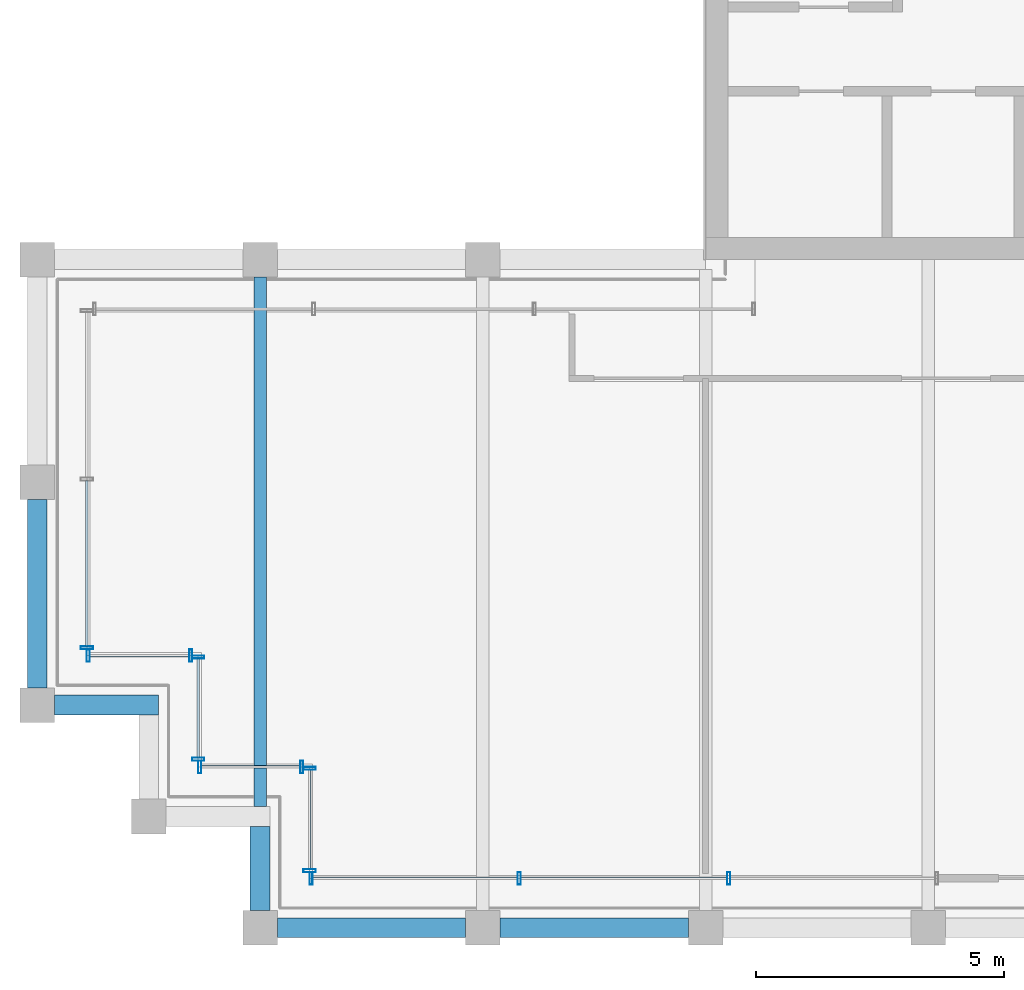
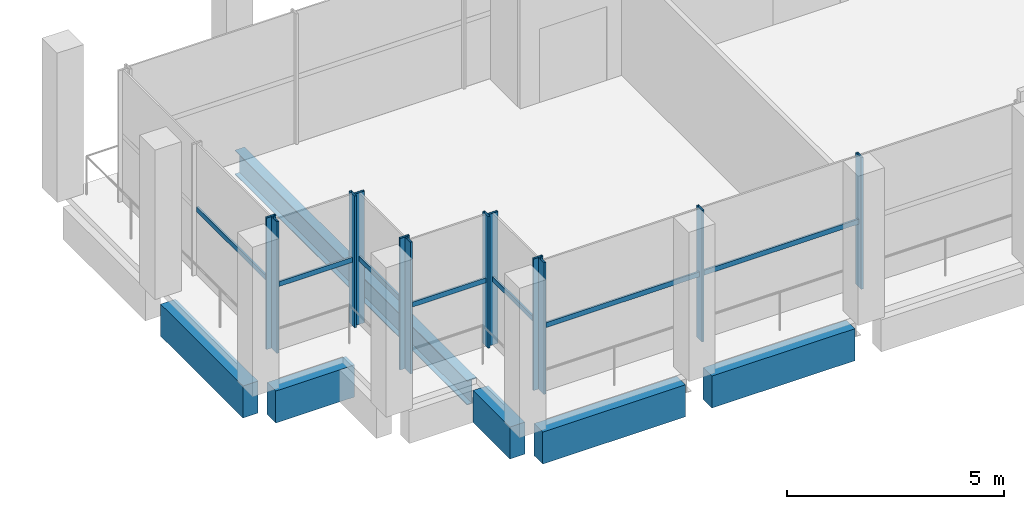
# One storey, part 2 of 17: 19 members, 6 beams, 6 elements without a shape of their own.
"""IFC4 building model written with IfcOpenShell, lengths in metres."""

from ifc_helpers import new_model, si_unit, direction, frame, origin, origin_2d, place, context, subcontext, project, spatial, rectangle, hollow_rectangle, i_section, extrude, material, material_profile, profile_set, type_object, element, aggregate, save


model = new_model("IFC4")

# Units and contexts
model_context = context("Model", 3, precision=1e-05, world=origin(), true_north=direction((0.0, 1.0)))
body_context = subcontext(model_context, "Body", "Model", "MODEL_VIEW")
ifc_project = project(units=[si_unit("LENGTHUNIT", "METRE"), si_unit("AREAUNIT", "SQUARE_METRE"), si_unit("VOLUMEUNIT", "CUBIC_METRE"), si_unit("PLANEANGLEUNIT", "RADIAN"), si_unit("MASSUNIT", "GRAM", prefix="KILO")], contexts=[model_context])

# Site, building, storey
site_placement = place(None, origin())
site = spatial("IfcSite", under=ifc_project, at=site_placement, CompositionType="ELEMENT")
building_placement = place(site_placement, origin())
building = spatial("IfcBuilding", under=site, at=building_placement, Name="Altepetl Exchange Towers", CompositionType="ELEMENT")
storey_placement = place(building_placement, frame((0.0, 0.0, 255.199951171875)))
storey = spatial("IfcBuildingStorey", under=building, at=storey_placement, Name="L65", CompositionType="ELEMENT", Elevation=255.199951171875)

# Beam
ifc_material_1 = material(Name="Steel S355", Category="steel")
ifc_material_profile_1 = material_profile(ifc_material_1, i_section(OverallWidth=0.25390625, OverallDepth=0.68408203125, WebThickness=0.012451171875, FlangeThickness=0.018798828125, at=origin_2d()), Name="W27X94")
ifc_profile_set_1 = profile_set([ifc_material_profile_1], Name="Steel S355")
beam_type_1 = type_object("IfcBeamType", Name="Floor beam W27X94", PredefinedType="BEAM", material=ifc_profile_set_1)
beam_1_placement = place(storey_placement, frame((31.5, 29.449951171875, -0.516845703125), z_axis=(0.0, 1.0, 0.0), x_axis=(-1.0, 0.0, 0.0)))
element("IfcBeam", 1, at=beam_1_placement, inside=storey, type_object=beam_type_1, Name="bm:A:L65:012", PredefinedType="BEAM", context=body_context, shape_type="SweptSolid", body=[
    extrude(i_section(OverallWidth=0.25390625, OverallDepth=0.68408203125, WebThickness=0.012451171875, FlangeThickness=0.018798828125, at=origin_2d()), origin(), (0.0, 0.0, 1.0), 10.699951171875),
])

# Curtain wall, member
ifc_material_2 = material(Name="Aluminium 6063-T6 glazing", Category="aluminium")
curtain_wall_type = type_object("IfcCurtainWallType", Name="Executive flush glazing system", PredefinedType="NOTDEFINED", material=ifc_material_2)
curtain_wall_1_placement = place(storey_placement, origin())
curtain_wall_1 = element("IfcCurtainWall", 2, at=curtain_wall_1_placement, inside=storey, type_object=curtain_wall_type, Name="CW4 run", PredefinedType="NOTDEFINED")
ifc_material_3 = material(Name="Aluminium 6063-T6", Category="aluminium")
ifc_material_profile_2 = material_profile(ifc_material_3, hollow_rectangle(XDim=0.06005859375, YDim=0.25, WallThickness=0.0029296875, at=origin_2d()), Name="Mullion 60x250 hollow aluminium")
ifc_profile_set_2 = profile_set([ifc_material_profile_2], Name="Aluminium 6063-T6")
member_type_1 = type_object("IfcMemberType", Name="Mullion 60x250 hollow aluminium", PredefinedType="MULLION", material=ifc_profile_set_2)
member_1_placement = place(storey_placement, frame((28.0, 32.655029296875, 0.0), z_axis=(0.0, 0.0, 1.0), x_axis=(0.0, -1.0, 0.0)))
member_1 = element("IfcMember", 3, at=member_1_placement, type_object=member_type_1, Name="MU3 mullion", PredefinedType="MULLION", context=body_context, shape_type="SweptSolid", body=[
    extrude(hollow_rectangle(XDim=0.06005859375, YDim=0.25, WallThickness=0.0029296875, at=origin_2d()), origin(), (0.0, 0.0, 1.0), 3.699951171875),
])

# Curtain wall, members
curtain_wall_2_placement = place(storey_placement, origin())
curtain_wall_2 = element("IfcCurtainWall", 4, at=curtain_wall_2_placement, inside=storey, type_object=curtain_wall_type, Name="CW4 run", PredefinedType="NOTDEFINED")
member_2_placement = place(storey_placement, frame((28.030029296875, 32.5, 0.0)))
member_2 = element("IfcMember", 5, at=member_2_placement, type_object=member_type_1, Name="MU3 mullion", PredefinedType="MULLION", context=body_context, shape_type="SweptSolid", body=[
    extrude(hollow_rectangle(XDim=0.06005859375, YDim=0.25, WallThickness=0.0029296875, at=origin_2d()), origin(), (0.0, 0.0, 1.0), 3.699951171875),
])
member_3_placement = place(storey_placement, frame((30.094970703125, 32.5, 0.0)))
member_3 = element("IfcMember", 6, at=member_3_placement, type_object=member_type_1, Name="MU3 mullion", PredefinedType="MULLION", context=body_context, shape_type="SweptSolid", body=[
    extrude(hollow_rectangle(XDim=0.06005859375, YDim=0.25, WallThickness=0.0029296875, at=origin_2d()), origin(), (0.0, 0.0, 1.0), 3.699951171875),
])

curtain_wall_3_placement = place(storey_placement, origin())
curtain_wall_3 = element("IfcCurtainWall", 7, at=curtain_wall_3_placement, inside=storey, type_object=curtain_wall_type, Name="CW4 run", PredefinedType="NOTDEFINED")
member_4_placement = place(storey_placement, frame((30.25, 32.469970703125, 0.0), z_axis=(0.0, 0.0, 1.0), x_axis=(0.0, -1.0, 0.0)))
member_4 = element("IfcMember", 8, at=member_4_placement, type_object=member_type_1, Name="MU3 mullion", PredefinedType="MULLION", context=body_context, shape_type="SweptSolid", body=[
    extrude(hollow_rectangle(XDim=0.06005859375, YDim=0.25, WallThickness=0.0029296875, at=origin_2d()), origin(), (0.0, 0.0, 1.0), 3.699951171875),
])
member_5_placement = place(storey_placement, frame((30.25, 30.405029296875, 0.0), z_axis=(0.0, 0.0, 1.0), x_axis=(0.0, -1.0, 0.0)))
member_5 = element("IfcMember", 9, at=member_5_placement, type_object=member_type_1, Name="MU3 mullion", PredefinedType="MULLION", context=body_context, shape_type="SweptSolid", body=[
    extrude(hollow_rectangle(XDim=0.06005859375, YDim=0.25, WallThickness=0.0029296875, at=origin_2d()), origin(), (0.0, 0.0, 1.0), 3.699951171875),
])

curtain_wall_4_placement = place(storey_placement, origin())
curtain_wall_4 = element("IfcCurtainWall", 10, at=curtain_wall_4_placement, inside=storey, type_object=curtain_wall_type, Name="CW4 run", PredefinedType="NOTDEFINED")
member_6_placement = place(storey_placement, frame((30.280029296875, 30.25, 0.0)))
member_6 = element("IfcMember", 11, at=member_6_placement, type_object=member_type_1, Name="MU3 mullion", PredefinedType="MULLION", context=body_context, shape_type="SweptSolid", body=[
    extrude(hollow_rectangle(XDim=0.06005859375, YDim=0.25, WallThickness=0.0029296875, at=origin_2d()), origin(), (0.0, 0.0, 1.0), 3.699951171875),
])
member_7_placement = place(storey_placement, frame((32.344970703125, 30.25, 0.0)))
member_7 = element("IfcMember", 12, at=member_7_placement, type_object=member_type_1, Name="MU3 mullion", PredefinedType="MULLION", context=body_context, shape_type="SweptSolid", body=[
    extrude(hollow_rectangle(XDim=0.06005859375, YDim=0.25, WallThickness=0.0029296875, at=origin_2d()), origin(), (0.0, 0.0, 1.0), 3.699951171875),
])

curtain_wall_5_placement = place(storey_placement, origin())
curtain_wall_5 = element("IfcCurtainWall", 13, at=curtain_wall_5_placement, inside=storey, type_object=curtain_wall_type, Name="CW4 run", PredefinedType="NOTDEFINED")
member_8_placement = place(storey_placement, frame((32.5, 30.219970703125, 0.0), z_axis=(0.0, 0.0, 1.0), x_axis=(0.0, -1.0, 0.0)))
member_8 = element("IfcMember", 14, at=member_8_placement, type_object=member_type_1, Name="MU3 mullion", PredefinedType="MULLION", context=body_context, shape_type="SweptSolid", body=[
    extrude(hollow_rectangle(XDim=0.06005859375, YDim=0.25, WallThickness=0.0029296875, at=origin_2d()), origin(), (0.0, 0.0, 1.0), 3.699951171875),
])
member_9_placement = place(storey_placement, frame((32.5, 28.155029296875, 0.0), z_axis=(0.0, 0.0, 1.0), x_axis=(0.0, -1.0, 0.0)))
member_9 = element("IfcMember", 15, at=member_9_placement, type_object=member_type_1, Name="MU3 mullion", PredefinedType="MULLION", context=body_context, shape_type="SweptSolid", body=[
    extrude(hollow_rectangle(XDim=0.06005859375, YDim=0.25, WallThickness=0.0029296875, at=origin_2d()), origin(), (0.0, 0.0, 1.0), 3.699951171875),
])

curtain_wall_6_placement = place(storey_placement, origin())
curtain_wall_6 = element("IfcCurtainWall", 16, at=curtain_wall_6_placement, inside=storey, type_object=curtain_wall_type, Name="CW4 run", PredefinedType="NOTDEFINED")
member_10_placement = place(storey_placement, frame((32.530029296875, 28.0, 0.0)))
member_10 = element("IfcMember", 17, at=member_10_placement, type_object=member_type_1, Name="MU3 mullion", PredefinedType="MULLION", context=body_context, shape_type="SweptSolid", body=[
    extrude(hollow_rectangle(XDim=0.06005859375, YDim=0.25, WallThickness=0.0029296875, at=origin_2d()), origin(), (0.0, 0.0, 1.0), 3.699951171875),
])
member_11_placement = place(storey_placement, frame((36.734375, 28.0, 0.0)))
member_11 = element("IfcMember", 18, at=member_11_placement, type_object=member_type_1, Name="MU3 mullion", PredefinedType="MULLION", context=body_context, shape_type="SweptSolid", body=[
    extrude(hollow_rectangle(XDim=0.06005859375, YDim=0.25, WallThickness=0.0029296875, at=origin_2d()), origin(), (0.0, 0.0, 1.0), 3.699951171875),
])
member_12_placement = place(storey_placement, frame((40.96875, 28.0, 0.0)))
member_12 = element("IfcMember", 19, at=member_12_placement, type_object=member_type_1, Name="MU3 mullion", PredefinedType="MULLION", context=body_context, shape_type="SweptSolid", body=[
    extrude(hollow_rectangle(XDim=0.06005859375, YDim=0.25, WallThickness=0.0029296875, at=origin_2d()), origin(), (0.0, 0.0, 1.0), 3.699951171875),
])

# Beams
ifc_material_4 = material(Name="Concrete C50/60 precast with cantera blanca facing", Category="concrete")
ifc_material_profile_3 = material_profile(ifc_material_4, rectangle(XDim=0.39990234375, YDim=0.89990234375, at=origin_2d()), Name="400 x 900")
ifc_profile_set_3 = profile_set([ifc_material_profile_3], Name="Concrete C50/60 precast with cantera blanca facing")
beam_type_2 = type_object("IfcBeamType", Name="Spandrel beam 400x900 cantera blanca", PredefinedType="SPANDREL", material=ifc_profile_set_3)
for number, where, z_axis, x_axis, name in (
    (20, (31.85009765625, 27.0, -0.625), (1.0, 0.0, 0.0), (0.0, 1.0, 0.0), "sp:A:L65:000"),
    (21, (36.35009765625, 27.0, -0.625), (1.0, 0.0, 0.0), (0.0, 1.0, 0.0), "sp:A:L65:001"),
    (22, (27.0, 35.64990234375, -0.625), (0.0, -1.0, 0.0), (1.0, 0.0, 0.0), "sp:A:L65:037"),
):
    element("IfcBeam", number, at=place(storey_placement, frame(where, z_axis=z_axis, x_axis=x_axis)), inside=storey, type_object=beam_type_2, Name=name, PredefinedType="SPANDREL", context=body_context, shape_type="SweptSolid", body=[
        extrude(rectangle(XDim=0.39990234375, YDim=0.89990234375, at=origin_2d()), origin(), (0.0, 0.0, 1.0), 3.7998046875),
    ])
beam_2_placement = place(storey_placement, frame((27.35009765625, 31.5, -0.625), z_axis=(1.0, 0.0, 0.0), x_axis=(0.0, 1.0, 0.0)))
element("IfcBeam", 23, at=beam_2_placement, inside=storey, type_object=beam_type_2, Name="sp:A:L65:038", PredefinedType="SPANDREL", context=body_context, shape_type="SweptSolid", body=[
    extrude(rectangle(XDim=0.39990234375, YDim=0.89990234375, at=origin_2d()), origin(), (0.0, 0.0, 1.0), 2.099853515625),
])
beam_3_placement = place(storey_placement, frame((31.5, 29.050048828125, -0.625), z_axis=(0.0, -1.0, 0.0), x_axis=(1.0, 0.0, 0.0)))
element("IfcBeam", 24, at=beam_3_placement, inside=storey, type_object=beam_type_2, Name="sp:A:L65:041", PredefinedType="SPANDREL", context=body_context, shape_type="SweptSolid", body=[
    extrude(rectangle(XDim=0.39990234375, YDim=0.89990234375, at=origin_2d()), origin(), (0.0, 0.0, 1.0), 1.699951171875),
])

# Member
ifc_material_profile_4 = material_profile(ifc_material_3, hollow_rectangle(XDim=0.050048828125, YDim=0.139892578125, WallThickness=0.0029296875, at=origin_2d()), Name="Transom 50x140 hollow aluminium")
ifc_profile_set_4 = profile_set([ifc_material_profile_4], Name="Aluminium 6063-T6")
member_type_2 = type_object("IfcMemberType", Name="Transom 50x140 hollow aluminium", PredefinedType="USERDEFINED", material=ifc_profile_set_4)
member_13_placement = place(storey_placement, frame((28.0, 36.032470703125, 1.85009765625), z_axis=(0.0, -1.0, 0.0), x_axis=(1.0, 0.0, 0.0)))
member_13 = element("IfcMember", 25, at=member_13_placement, type_object=member_type_2, Name="TR2 transom", ObjectType="TRANSOM", PredefinedType="USERDEFINED", context=body_context, shape_type="SweptSolid", body=[
    extrude(hollow_rectangle(XDim=0.050048828125, YDim=0.139892578125, WallThickness=0.0029296875, at=origin_2d()), origin(), (0.0, 0.0, 1.0), 3.347412109375),
])

aggregate(curtain_wall_1, [member_1, member_13])

member_14_placement = place(storey_placement, frame((28.06005859375, 32.5, 1.85009765625), z_axis=(1.0, 0.0, 0.0), x_axis=(0.0, 1.0, 0.0)))
member_14 = element("IfcMember", 26, at=member_14_placement, type_object=member_type_2, Name="TR2 transom", ObjectType="TRANSOM", PredefinedType="USERDEFINED", context=body_context, shape_type="SweptSolid", body=[
    extrude(hollow_rectangle(XDim=0.050048828125, YDim=0.139892578125, WallThickness=0.0029296875, at=origin_2d()), origin(), (0.0, 0.0, 1.0), 2.0048828125),
])

aggregate(curtain_wall_2, [member_2, member_3, member_14])

member_15_placement = place(storey_placement, frame((30.25, 32.43994140625, 1.85009765625), z_axis=(0.0, -1.0, 0.0), x_axis=(1.0, 0.0, 0.0)))
member_15 = element("IfcMember", 27, at=member_15_placement, type_object=member_type_2, Name="TR2 transom", ObjectType="TRANSOM", PredefinedType="USERDEFINED", context=body_context, shape_type="SweptSolid", body=[
    extrude(hollow_rectangle(XDim=0.050048828125, YDim=0.139892578125, WallThickness=0.0029296875, at=origin_2d()), origin(), (0.0, 0.0, 1.0), 2.0048828125),
])

aggregate(curtain_wall_3, [member_4, member_5, member_15])

member_16_placement = place(storey_placement, frame((30.31005859375, 30.25, 1.85009765625), z_axis=(1.0, 0.0, 0.0), x_axis=(0.0, 1.0, 0.0)))
member_16 = element("IfcMember", 28, at=member_16_placement, type_object=member_type_2, Name="TR2 transom", ObjectType="TRANSOM", PredefinedType="USERDEFINED", context=body_context, shape_type="SweptSolid", body=[
    extrude(hollow_rectangle(XDim=0.050048828125, YDim=0.139892578125, WallThickness=0.0029296875, at=origin_2d()), origin(), (0.0, 0.0, 1.0), 2.0048828125),
])

aggregate(curtain_wall_4, [member_6, member_7, member_16])

member_17_placement = place(storey_placement, frame((32.5, 30.18994140625, 1.85009765625), z_axis=(0.0, -1.0, 0.0), x_axis=(1.0, 0.0, 0.0)))
member_17 = element("IfcMember", 29, at=member_17_placement, type_object=member_type_2, Name="TR2 transom", ObjectType="TRANSOM", PredefinedType="USERDEFINED", context=body_context, shape_type="SweptSolid", body=[
    extrude(hollow_rectangle(XDim=0.050048828125, YDim=0.139892578125, WallThickness=0.0029296875, at=origin_2d()), origin(), (0.0, 0.0, 1.0), 2.0048828125),
])

aggregate(curtain_wall_5, [member_8, member_9, member_17])

member_18_placement = place(storey_placement, frame((32.56005859375, 28.0, 1.85009765625), z_axis=(1.0, 0.0, 0.0), x_axis=(0.0, 1.0, 0.0)))
member_18 = element("IfcMember", 30, at=member_18_placement, type_object=member_type_2, Name="TR2 transom", ObjectType="TRANSOM", PredefinedType="USERDEFINED", context=body_context, shape_type="SweptSolid", body=[
    extrude(hollow_rectangle(XDim=0.050048828125, YDim=0.139892578125, WallThickness=0.0029296875, at=origin_2d()), origin(), (0.0, 0.0, 1.0), 4.144287109375),
])

member_19_placement = place(storey_placement, frame((36.764404296875, 28.0, 1.85009765625), z_axis=(1.0, 0.0, 0.0), x_axis=(0.0, 1.0, 0.0)))
member_19 = element("IfcMember", 31, at=member_19_placement, type_object=member_type_2, Name="TR2 transom", ObjectType="TRANSOM", PredefinedType="USERDEFINED", context=body_context, shape_type="SweptSolid", body=[
    extrude(hollow_rectangle(XDim=0.050048828125, YDim=0.139892578125, WallThickness=0.0029296875, at=origin_2d()), origin(), (0.0, 0.0, 1.0), 4.17431640625),
])

aggregate(curtain_wall_6, [member_10, member_11, member_12, member_18, member_19])

save(model, "model.ifc")
